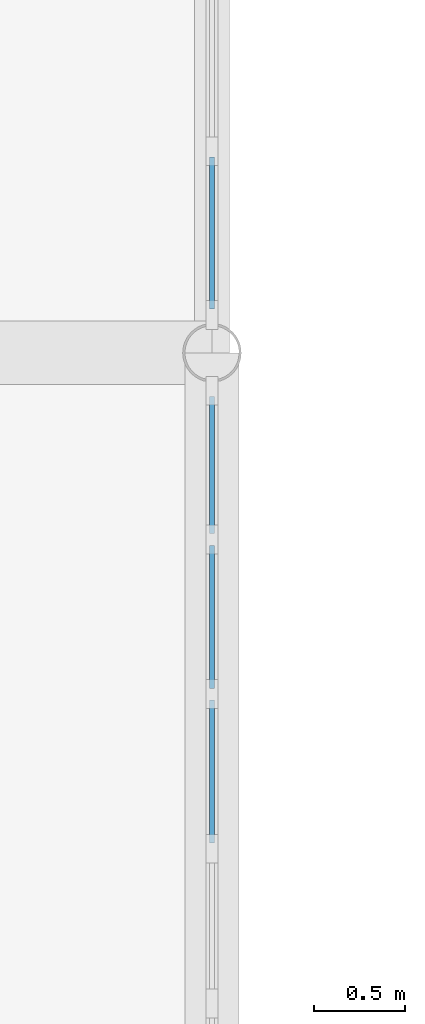
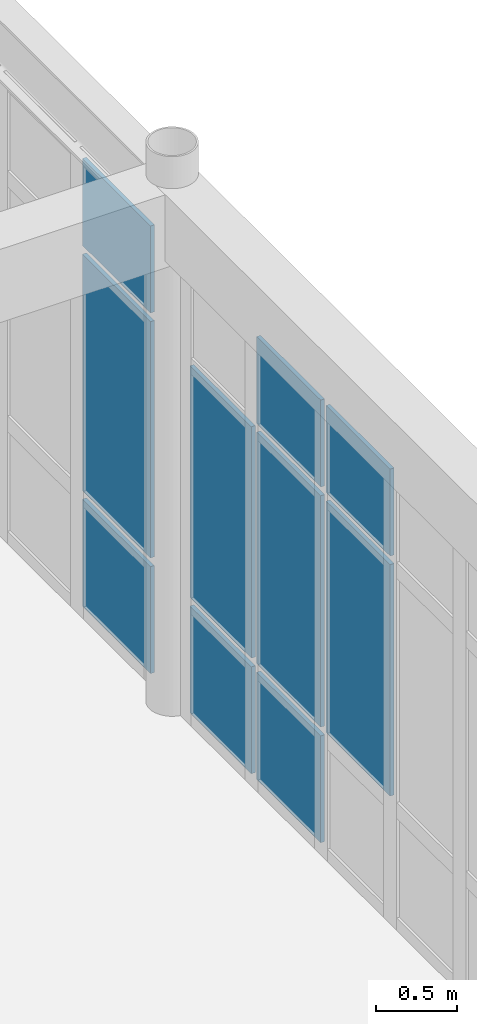
# One storey, part 23 of 36: 10 plates, 2 elements without a shape of their own.
"""IFC4 building model written with IfcOpenShell, lengths in metres."""

import ifcopenshell
import ifcopenshell.guid

model = None  # the IFC model being written
_history = None  # IfcOwnerHistory: only IFC2X3 demands one
_inside = {}  # id of a spatial element -> (the spatial element, [elements in it])
_under = {}  # id of a project, library or spatial element -> (it, [spatial elements below it])
_declared = {}  # id of a project -> (the project, [libraries it declares])
_typed = {}  # id of a type object -> (the type object, [elements of that type])
_made_of = {}  # id of a material, layer set ... -> (it, [elements and type objects made of it])


def new_model(schema):
    """Start an empty IFC model of exactly this schema.

    Asked for "IFC4X3", IfcOpenShell would pick the latest addendum, in which some entities
    have other attributes; the version numbers below select the first issue.
    IFC2X3 requires an IfcOwnerHistory on every rooted entity: one is made here for all.
    """
    global model, _history
    if schema == "IFC4X3":
        model = ifcopenshell.file(schema_version=(4, 3, 0, 0))
    else:
        model = ifcopenshell.file(schema=schema)
    _inside.clear()
    _under.clear()
    _declared.clear()
    _typed.clear()
    _made_of.clear()
    _history = None
    if model.schema == "IFC2X3":
        org = make("IfcOrganization", Name="unknown")
        user = make(
            "IfcPersonAndOrganization",
            ThePerson=make("IfcPerson", FamilyName="unknown"),
            TheOrganization=org,
        )
        app = make(
            "IfcApplication",
            ApplicationDeveloper=org,
            Version="unknown",
            ApplicationFullName="unknown",
            ApplicationIdentifier="unknown",
        )
        _history = make(
            "IfcOwnerHistory",
            OwningUser=user,
            OwningApplication=app,
            ChangeAction="ADDED",
            CreationDate=0,
        )
    return model


def make(cls, **values):
    """One entity of the class cls with the attributes given. An attribute that is None is left unset."""
    return model.create_entity(
        cls, **{name: value for name, value in values.items() if value is not None}
    )


def rooted(cls, **values):
    """An entity with a GlobalId (a new one), such as an element, a storey or a relation."""
    return make(cls, GlobalId=ifcopenshell.guid.new(), OwnerHistory=_history, **values)


def si_unit(unit_type, name, prefix=None):
    """IfcSIUnit, for example si_unit("LENGTHUNIT", "METRE", prefix="MILLI")."""
    return make("IfcSIUnit", UnitType=unit_type, Prefix=prefix, Name=name)


def assignment(units):
    """IfcUnitAssignment: the units of a project."""
    return None if units is None else make("IfcUnitAssignment", Units=units)


def point(xyz):
    """IfcCartesianPoint."""
    return None if xyz is None else make("IfcCartesianPoint", Coordinates=xyz)


def direction(xyz):
    """IfcDirection."""
    return None if xyz is None else make("IfcDirection", DirectionRatios=xyz)


def frame(location, z_axis=None, x_axis=None):
    """IfcAxis2Placement3D, a coordinate frame: its origin and axes. An axis left out is left unset."""
    return make(
        "IfcAxis2Placement3D",
        Location=point(location),
        Axis=direction(z_axis),
        RefDirection=direction(x_axis),
    )


def frame_2d(location, x_axis=None):
    """IfcAxis2Placement2D, a coordinate frame in the plane: its origin and x axis."""
    return make(
        "IfcAxis2Placement2D", Location=point(location), RefDirection=direction(x_axis)
    )


def origin():
    """The frame at (0, 0, 0) with its axes left unset."""
    return frame((0.0, 0.0, 0.0))


def origin_2d():
    """The frame at (0, 0) in the plane with its x axis left unset."""
    return frame_2d((0.0, 0.0))


def place(relative_to, where):
    """IfcLocalPlacement: puts the frame where relative to a parent placement (None: the world)."""
    return make(
        "IfcLocalPlacement", PlacementRelTo=relative_to, RelativePlacement=where
    )


def context(
    kind, dimensions, precision=None, world=None, true_north=None, identifier=None
):
    """IfcGeometricRepresentationContext, for example the 3D "Model" context."""
    return make(
        "IfcGeometricRepresentationContext",
        ContextIdentifier=identifier,
        ContextType=kind,
        CoordinateSpaceDimension=dimensions,
        Precision=precision,
        WorldCoordinateSystem=world,
        TrueNorth=true_north,
    )


def subcontext(parent, identifier, kind, view, scale=None):
    """IfcGeometricRepresentationSubContext, for example "Body" below "Model"."""
    return make(
        "IfcGeometricRepresentationSubContext",
        ContextIdentifier=identifier,
        ContextType=kind,
        ParentContext=parent,
        TargetScale=scale,
        TargetView=view,
    )


def project(units=None, contexts=None):
    """IfcProject with its units and contexts."""
    return rooted(
        "IfcProject",
        Name="project",
        RepresentationContexts=contexts,
        UnitsInContext=assignment(units),
    )


def spatial(cls, under=None, at=None, **own):
    """A site, building, storey or space (cls), placed at a placement, below another one or the project."""
    s = rooted(cls, ObjectPlacement=at, **own)
    if under is not None:
        _under.setdefault(under.id(), (under, []))[1].append(s)
    return s


def profile(cls, at=None, kind="AREA", **sizes):
    """A parametric profile (cls). Its sizes go by their IFC names, for example OverallWidth=200.0."""
    return make(cls, ProfileType=kind, Position=at, **sizes)


def rectangle(**sizes):
    """IfcRectangleProfileDef."""
    return profile("IfcRectangleProfileDef", **sizes)


def extrude(swept, where, along, depth):
    """IfcExtrudedAreaSolid: the profile swept, set in the frame where, extruded along a direction by depth."""
    return make(
        "IfcExtrudedAreaSolid",
        SweptArea=swept,
        Position=where,
        ExtrudedDirection=direction(along),
        Depth=depth,
    )


def shape(context_of_items, identifier, shape_type, items):
    """IfcShapeRepresentation: the items that make up one representation, for example the "Body"."""
    return make(
        "IfcShapeRepresentation",
        ContextOfItems=context_of_items,
        RepresentationIdentifier=identifier,
        RepresentationType=shape_type,
        Items=items,
    )


def material(Name=None, Category=None):
    """IfcMaterial."""
    return make("IfcMaterial", Name=Name, Category=Category)


def layer(
    of_material, thickness, ventilated=None, Name=None, Category=None, Priority=None
):
    """IfcMaterialLayer: one layer of a wall or slab, of a material (None: an air gap)."""
    return make(
        "IfcMaterialLayer",
        Material=of_material,
        LayerThickness=thickness,
        IsVentilated=ventilated,
        Name=Name,
        Category=Category,
        Priority=Priority,
    )


def layer_set(layers, Name=None):
    """IfcMaterialLayerSet."""
    return make("IfcMaterialLayerSet", MaterialLayers=layers, LayerSetName=Name)


def made_of(thing, what):
    """Note that an element or type object is made of a material, layer set ...; save() writes the relation."""
    if what is not None:
        _made_of.setdefault(what.id(), (what, []))[1].append(thing)
    return thing


def type_object(cls, material=None, **own):
    """A type object (cls), such as IfcWallType, which elements share."""
    return made_of(rooted(cls, **own), material)


def element(
    cls,
    number,
    at=None,
    inside=None,
    cuts=None,
    type_object=None,
    material=None,
    context=None,
    identifier="Body",
    shape_type=None,
    held_by="IfcProductDefinitionShape",
    body=None,
    shapes=None,
    **own,
):
    """One element of the class cls, such as IfcWall. Its Tag is "e" and its number.

    at: its placement. inside: the storey or other place that contains it. cuts: it is an
    opening in that element (IfcRelVoidsElement). A single representation is given by context,
    identifier, shape_type and body (its items); several are given by shapes. held_by: the class
    of the entity that holds the representations. save() writes the other relations.
    """
    e = rooted(cls, Tag="e%d" % number, ObjectPlacement=at, **own)
    if body is not None:
        shapes = [shape(context, identifier, shape_type, body)]
    if shapes is not None:
        e.Representation = make(held_by, Representations=shapes)
    if inside is not None:
        _inside.setdefault(inside.id(), (inside, []))[1].append(e)
    if cuts is not None:
        rooted(
            "IfcRelVoidsElement", RelatingBuildingElement=cuts, RelatedOpeningElement=e
        )
    if type_object is not None:
        _typed.setdefault(type_object.id(), (type_object, []))[1].append(e)
    return made_of(e, material)


def aggregate(whole, parts):
    """IfcRelAggregates: a whole, such as a stair, and the parts it consists of."""
    return rooted("IfcRelAggregates", RelatingObject=whole, RelatedObjects=parts)


def save(model, path):
    """Write the relations noted so far, then the file.

    IfcRelAggregates (storeys below a building ...), IfcRelContainedInSpatialStructure (elements
    in a storey), IfcRelDefinesByType, IfcRelAssociatesMaterial and IfcRelDeclares: one each for
    every whole, place, type object, material and project.
    """
    for whole, parts in _under.values():
        aggregate(whole, parts)
    for where, things in _inside.values():
        rooted(
            "IfcRelContainedInSpatialStructure",
            RelatedElements=things,
            RelatingStructure=where,
        )
    for kind, things in _typed.values():
        rooted("IfcRelDefinesByType", RelatedObjects=things, RelatingType=kind)
    for what, things in _made_of.values():
        rooted("IfcRelAssociatesMaterial", RelatedObjects=things, RelatingMaterial=what)
    for by, libraries in _declared.values():
        rooted("IfcRelDeclares", RelatingContext=by, RelatedDefinitions=libraries)
    model.write(path)


model = new_model("IFC4")

# Units and contexts
model_context = context("Model", 3, precision=1e-05, world=origin(), true_north=direction((0.0, 1.0)))
body_context = subcontext(model_context, "Body", "Model", "MODEL_VIEW")
ifc_project = project(units=[si_unit("LENGTHUNIT", "METRE"), si_unit("AREAUNIT", "SQUARE_METRE"), si_unit("VOLUMEUNIT", "CUBIC_METRE"), si_unit("PLANEANGLEUNIT", "RADIAN"), si_unit("MASSUNIT", "GRAM", prefix="KILO")], contexts=[model_context])

# Site, building, storey
site_placement = place(None, origin())
site = spatial("IfcSite", under=ifc_project, at=site_placement, CompositionType="ELEMENT")
building_placement = place(site_placement, origin())
building = spatial("IfcBuilding", under=site, at=building_placement, Name="Tarnveldt Square Police Headquarters", CompositionType="ELEMENT")
storey_placement = place(building_placement, frame((0.0, 0.0, 24.89990234375)))
storey = spatial("IfcBuildingStorey", under=building, at=storey_placement, Name="L05", CompositionType="ELEMENT", Elevation=24.89990234375)

# Curtain wall, plates
ifc_material = material(Name="Triple-glazed low-e laminated vision glass", Category="glass")
curtain_wall_type_1 = type_object("IfcCurtainWallType", Name="CW-UP-768x345", PredefinedType="USERDEFINED", material=ifc_material)
curtain_wall_1_placement = place(storey_placement, origin())
curtain_wall_1 = element("IfcCurtainWall", 1, at=curtain_wall_1_placement, inside=storey, type_object=curtain_wall_type_1, Name="L05 Curtain Wall CW-L05-085", ObjectType="GLAZED CURTAIN WALL", PredefinedType="USERDEFINED")
ifc_layer = layer(ifc_material, 0.028076171875)
ifc_layer_set = layer_set([ifc_layer], Name="Triple-glazed low-e laminated vision glass")
plate_type = type_object("IfcPlateType", Name="CWP-VIS-28", PredefinedType="CURTAIN_PANEL", material=ifc_layer_set)
plate_1_placement = place(storey_placement, frame((40.5, 69.689453125, 0.9326171875), z_axis=(0.0, 0.0, 1.0), x_axis=(0.0, 1.0, 0.0)))
plate_1 = element("IfcPlate", 2, at=plate_1_placement, type_object=plate_type, Name="CW-UP43 panel 7.2", PredefinedType="CURTAIN_PANEL", context=body_context, shape_type="SweptSolid", body=[
    extrude(rectangle(XDim=0.788330078125, YDim=0.028076171875, at=origin_2d()), origin(), (0.0, 0.0, 1.0), 1.737060546875),
])
plate_2_placement = place(storey_placement, frame((40.5, 69.689453125, 2.734375), z_axis=(0.0, 0.0, 1.0), x_axis=(0.0, 1.0, 0.0)))
plate_2 = element("IfcPlate", 3, at=plate_2_placement, type_object=plate_type, Name="CW-UP43 panel 7.3", PredefinedType="CURTAIN_PANEL", context=body_context, shape_type="SweptSolid", body=[
    extrude(rectangle(XDim=0.788330078125, YDim=0.028076171875, at=origin_2d()), origin(), (0.0, 0.0, 1.0), 0.652587890625),
])
plate_3_placement = place(storey_placement, frame((40.5, 70.542724609375, 0.06494140625), z_axis=(0.0, 0.0, 1.0), x_axis=(0.0, 1.0, 0.0)))
plate_3 = element("IfcPlate", 4, at=plate_3_placement, type_object=plate_type, Name="CW-UP43 panel 8.1", PredefinedType="CURTAIN_PANEL", context=body_context, shape_type="SweptSolid", body=[
    extrude(rectangle(XDim=0.788330078125, YDim=0.028076171875, at=origin_2d()), origin(), (0.0, 0.0, 1.0), 0.802490234375),
])
plate_4_placement = place(storey_placement, frame((40.5, 70.542724609375, 0.9326171875), z_axis=(0.0, 0.0, 1.0), x_axis=(0.0, 1.0, 0.0)))
plate_4 = element("IfcPlate", 5, at=plate_4_placement, type_object=plate_type, Name="CW-UP43 panel 8.2", PredefinedType="CURTAIN_PANEL", context=body_context, shape_type="SweptSolid", body=[
    extrude(rectangle(XDim=0.788330078125, YDim=0.028076171875, at=origin_2d()), origin(), (0.0, 0.0, 1.0), 1.737060546875),
])
plate_5_placement = place(storey_placement, frame((40.5, 70.542724609375, 2.734375), z_axis=(0.0, 0.0, 1.0), x_axis=(0.0, 1.0, 0.0)))
plate_5 = element("IfcPlate", 6, at=plate_5_placement, type_object=plate_type, Name="CW-UP43 panel 8.3", PredefinedType="CURTAIN_PANEL", context=body_context, shape_type="SweptSolid", body=[
    extrude(rectangle(XDim=0.788330078125, YDim=0.028076171875, at=origin_2d()), origin(), (0.0, 0.0, 1.0), 0.652587890625),
])
plate_6_placement = place(storey_placement, frame((40.5, 71.380126953125, 0.06494140625), z_axis=(0.0, 0.0, 1.0), x_axis=(0.0, 1.0, 0.0)))
plate_6 = element("IfcPlate", 7, at=plate_6_placement, type_object=plate_type, Name="CW-UP43 panel 9.1", PredefinedType="CURTAIN_PANEL", context=body_context, shape_type="SweptSolid", body=[
    extrude(rectangle(XDim=0.755859375, YDim=0.028076171875, at=origin_2d()), origin(), (0.0, 0.0, 1.0), 0.802490234375),
])
plate_7_placement = place(storey_placement, frame((40.5, 71.380126953125, 0.9326171875), z_axis=(0.0, 0.0, 1.0), x_axis=(0.0, 1.0, 0.0)))
plate_7 = element("IfcPlate", 8, at=plate_7_placement, type_object=plate_type, Name="CW-UP43 panel 9.2", PredefinedType="CURTAIN_PANEL", context=body_context, shape_type="SweptSolid", body=[
    extrude(rectangle(XDim=0.755859375, YDim=0.028076171875, at=origin_2d()), origin(), (0.0, 0.0, 1.0), 1.737060546875),
])
aggregate(curtain_wall_1, [plate_1, plate_2, plate_3, plate_4, plate_5, plate_6, plate_7])

curtain_wall_type_2 = type_object("IfcCurtainWallType", Name="CW-UP-748x349", PredefinedType="USERDEFINED", material=ifc_material)
curtain_wall_2_placement = place(storey_placement, origin())
curtain_wall_2 = element("IfcCurtainWall", 9, at=curtain_wall_2_placement, inside=storey, type_object=curtain_wall_type_2, Name="L05 Curtain Wall CW-L05-086", ObjectType="GLAZED CURTAIN WALL", PredefinedType="USERDEFINED")
plate_8_placement = place(storey_placement, frame((40.5, 72.660888671875, 0.06494140625), z_axis=(0.0, 0.0, 1.0), x_axis=(0.0, 1.0, 0.0)))
plate_8 = element("IfcPlate", 10, at=plate_8_placement, type_object=plate_type, Name="CW-UP44 panel 1.1", PredefinedType="CURTAIN_PANEL", context=body_context, shape_type="SweptSolid", body=[
    extrude(rectangle(XDim=0.837890625, YDim=0.028076171875, at=origin_2d()), origin(), (0.0, 0.0, 1.0), 0.802490234375),
])
plate_9_placement = place(storey_placement, frame((40.5, 72.660888671875, 0.9326171875), z_axis=(0.0, 0.0, 1.0), x_axis=(0.0, 1.0, 0.0)))
plate_9 = element("IfcPlate", 11, at=plate_9_placement, type_object=plate_type, Name="CW-UP44 panel 1.2", PredefinedType="CURTAIN_PANEL", context=body_context, shape_type="SweptSolid", body=[
    extrude(rectangle(XDim=0.837890625, YDim=0.028076171875, at=origin_2d()), origin(), (0.0, 0.0, 1.0), 1.77392578125),
])
plate_10_placement = place(storey_placement, frame((40.5, 72.660888671875, 2.771484375), z_axis=(0.0, 0.0, 1.0), x_axis=(0.0, 1.0, 0.0)))
plate_10 = element("IfcPlate", 12, at=plate_10_placement, type_object=plate_type, Name="CW-UP44 panel 1.3", PredefinedType="CURTAIN_PANEL", context=body_context, shape_type="SweptSolid", body=[
    extrude(rectangle(XDim=0.837890625, YDim=0.028076171875, at=origin_2d()), origin(), (0.0, 0.0, 1.0), 0.652587890625),
])
aggregate(curtain_wall_2, [plate_8, plate_9, plate_10])

save(model, "model.ifc")
